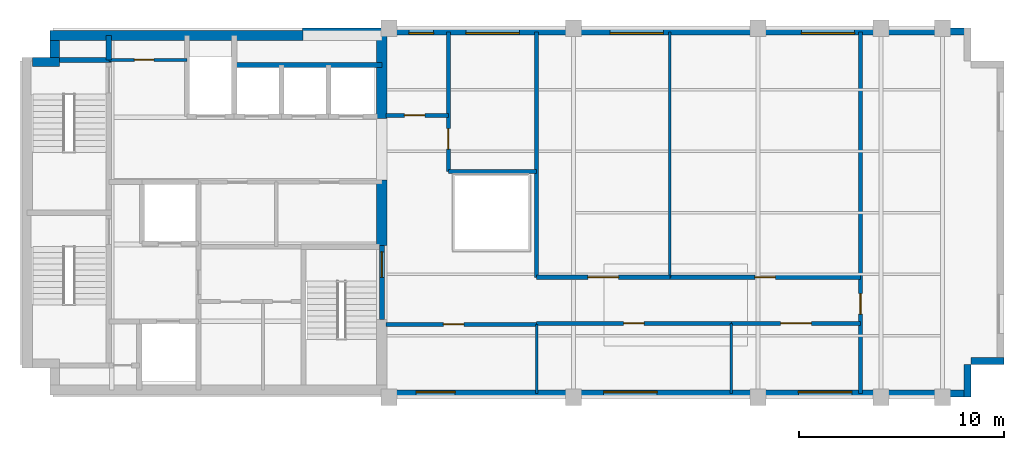
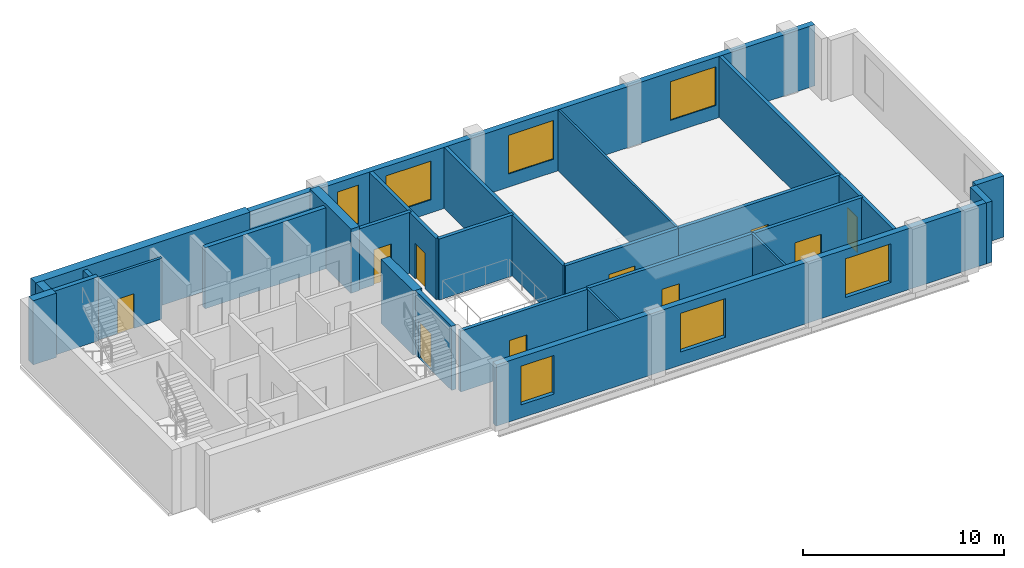
# One storey, part 3 of 5: 27 walls, 10 doors, 7 windows, 17 openings.
"""IFC4 building model written with IfcOpenShell, lengths in metres."""

from ifc_helpers import new_model, si_unit, direction, frame, frame_2d, origin, place, context, subcontext, project, spatial, rectangle, extrude, material, layer, layer_set, type_object, element, fill, save


model = new_model("IFC4")

# Units and contexts
model_context = context("Model", 3, precision=1e-05, world=origin(), true_north=direction((0.0, 1.0)))
body_context = subcontext(model_context, "Body", "Model", "MODEL_VIEW")
ifc_project = project(units=[si_unit("LENGTHUNIT", "METRE"), si_unit("AREAUNIT", "SQUARE_METRE"), si_unit("VOLUMEUNIT", "CUBIC_METRE"), si_unit("PLANEANGLEUNIT", "RADIAN"), si_unit("MASSUNIT", "GRAM", prefix="KILO")], contexts=[model_context])

# Site, building, storey
site_placement = place(None, origin())
site = spatial("IfcSite", under=ifc_project, at=site_placement, CompositionType="ELEMENT")
building_placement = place(site_placement, origin())
building = spatial("IfcBuilding", under=site, at=building_placement, Name="Mawjdan Bourse Tower", CompositionType="ELEMENT")
storey_placement = place(building_placement, frame((0.0, 0.0, 262.5)))
storey = spatial("IfcBuildingStorey", under=building, at=storey_placement, Name="L64", CompositionType="ELEMENT", Elevation=262.5)

# Wall, openings, windows
ifc_material_1 = material(Name="Brick Masonry Buff", Category="masonry")
ifc_layer_1 = layer(ifc_material_1, 0.340087890625)
ifc_layer_set_1 = layer_set([ifc_layer_1], Name="Brick Masonry Buff")
wall_type_1 = type_object("IfcWallType", Name="WL-BRK-SPN-340", PredefinedType="STANDARD", material=ifc_layer_set_1)
wall_1_placement = place(storey_placement, frame((23.89990234375, 3.169921875, 0.0), z_axis=(0.0, 0.0, 1.0), x_axis=(1.0, 0.0, 0.0)))
wall_1 = element("IfcWall", 1, at=wall_1_placement, inside=storey, type_object=wall_type_1, Name="L64 Exterior Brick Wall 1", PredefinedType="STANDARD", context=body_context, shape_type="SweptSolid", body=[
    extrude(rectangle(XDim=28.5, YDim=0.340087890625, at=frame_2d((14.25, 0.0))), origin(), (0.0, 0.0, 1.0), 3.715087890625),
])
opening_1_placement = place(wall_1_placement, frame((1.425048828125, 0.0, 0.800048828125)))
opening_1 = element("IfcOpeningElement", 2, at=opening_1_placement, cuts=wall_1, Name="Opening W-L64-01", PredefinedType="OPENING", context=body_context, shape_type="SweptSolid", body=[
    extrude(rectangle(XDim=1.89990234375, YDim=2.35009765625, at=frame_2d((0.949951171875, 1.175048828125))), frame((0.0, 0.18017578125, 0.0), z_axis=(0.0, -1.0, 0.0), x_axis=(1.0, 0.0, 0.0)), (0.0, 0.0, 1.0), 0.360107421875),
])
opening_2_placement = place(wall_1_placement, frame((10.574951171875, 0.0, 0.800048828125)))
opening_2 = element("IfcOpeningElement", 3, at=opening_2_placement, cuts=wall_1, Name="Opening W-L64-02", PredefinedType="OPENING", context=body_context, shape_type="SweptSolid", body=[
    extrude(rectangle(XDim=2.60009765625, YDim=2.35009765625, at=frame_2d((1.300048828125, 1.175048828125))), frame((0.0, 0.18017578125, 0.0), z_axis=(0.0, -1.0, 0.0), x_axis=(1.0, 0.0, 0.0)), (0.0, 0.0, 1.0), 0.360107421875),
])
opening_3_placement = place(wall_1_placement, frame((20.074951171875, 0.0, 0.800048828125)))
opening_3 = element("IfcOpeningElement", 4, at=opening_3_placement, cuts=wall_1, Name="Opening W-L64-03", PredefinedType="OPENING", context=body_context, shape_type="SweptSolid", body=[
    extrude(rectangle(XDim=2.60009765625, YDim=2.35009765625, at=frame_2d((1.300048828125, 1.175048828125))), frame((0.0, 0.18017578125, 0.0), z_axis=(0.0, -1.0, 0.0), x_axis=(1.0, 0.0, 0.0)), (0.0, 0.0, 1.0), 0.360107421875),
])
ifc_material_2 = material(Name="Solar-Control Clear Double Glazing", Category="glass")
window_type_1 = type_object("IfcWindowType", Name="WN-SMT-1900", PartitioningType="SINGLE_PANEL", PredefinedType="WINDOW", material=ifc_material_2)
window_1_placement = place(opening_1_placement, origin())
window_1 = element("IfcWindow", 5, at=window_1_placement, inside=storey, type_object=window_type_1, Name="L64 Deep-Set Masonry Window W-L64-01", OverallHeight=2.35009765625, OverallWidth=1.89990234375, PartitioningType="SINGLE_PANEL", PredefinedType="WINDOW", context=body_context, shape_type="SweptSolid", body=[
    extrude(rectangle(XDim=1.89990234375, YDim=2.35009765625, at=frame_2d((0.949951171875, 1.175048828125))), frame((0.0, 0.110107421875, 0.0), z_axis=(0.0, -1.0, 0.0), x_axis=(1.0, 0.0, 0.0)), (0.0, 0.0, 1.0), 0.06005859375),
])
fill(opening_1, window_1)
window_type_2 = type_object("IfcWindowType", Name="WN-SMT-2600", PartitioningType="SINGLE_PANEL", PredefinedType="WINDOW", material=ifc_material_2)
window_2_placement = place(opening_2_placement, origin())
window_2 = element("IfcWindow", 6, at=window_2_placement, inside=storey, type_object=window_type_2, Name="L64 Deep-Set Masonry Window W-L64-02", OverallHeight=2.35009765625, OverallWidth=2.60009765625, PartitioningType="SINGLE_PANEL", PredefinedType="WINDOW", context=body_context, shape_type="SweptSolid", body=[
    extrude(rectangle(XDim=2.60009765625, YDim=2.35009765625, at=frame_2d((1.300048828125, 1.175048828125))), frame((0.0, 0.110107421875, 0.0), z_axis=(0.0, -1.0, 0.0), x_axis=(1.0, 0.0, 0.0)), (0.0, 0.0, 1.0), 0.06005859375),
])
fill(opening_2, window_2)
window_3_placement = place(opening_3_placement, origin())
window_3 = element("IfcWindow", 7, at=window_3_placement, inside=storey, type_object=window_type_2, Name="L64 Deep-Set Masonry Window W-L64-03", OverallHeight=2.35009765625, OverallWidth=2.60009765625, PartitioningType="SINGLE_PANEL", PredefinedType="WINDOW", context=body_context, shape_type="SweptSolid", body=[
    extrude(rectangle(XDim=2.60009765625, YDim=2.35009765625, at=frame_2d((1.300048828125, 1.175048828125))), frame((0.0, 0.110107421875, 0.0), z_axis=(0.0, -1.0, 0.0), x_axis=(1.0, 0.0, 0.0)), (0.0, 0.0, 1.0), 0.06005859375),
])
fill(opening_3, window_3)

# Walls
for number, where, z_axis, x_axis, name in (
    (8, (52.22998046875, 3.0, 0.0), (0.0, 0.0, 1.0), (0.0, 1.0, 0.0), "L64 Exterior Brick Wall 2"),
    (9, (52.39990234375, 4.77001953125, 0.0), (0.0, 0.0, 1.0), (1.0, 0.0, 0.0), "L64 Exterior Brick Wall 3"),
):
    element("IfcWall", number, at=place(storey_placement, frame(where, z_axis=z_axis, x_axis=x_axis)), inside=storey, type_object=wall_type_1, Name=name, PredefinedType="STANDARD", context=body_context, shape_type="SweptSolid", body=[
        extrude(rectangle(XDim=1.60009765625, YDim=0.340087890625, at=frame_2d((0.800048828125, 0.0))), origin(), (0.0, 0.0, 1.0), 3.715087890625),
    ])

# Wall, openings, windows
wall_2_placement = place(storey_placement, frame((52.39990234375, 20.830078125, 0.0), z_axis=(0.0, 0.0, 1.0), x_axis=(-1.0, 0.0, 0.0)))
wall_2 = element("IfcWall", 10, at=wall_2_placement, inside=storey, type_object=wall_type_1, Name="L64 Exterior Brick Wall 7", PredefinedType="STANDARD", context=body_context, shape_type="SweptSolid", body=[
    extrude(rectangle(XDim=32.619873046875, YDim=0.340087890625, at=frame_2d((16.31005859375, 0.0))), origin(), (0.0, 0.0, 1.0), 3.715087890625),
])
opening_4_placement = place(wall_2_placement, frame((5.68994140625, 0.0, 0.800048828125)))
opening_4 = element("IfcOpeningElement", 11, at=opening_4_placement, cuts=wall_2, Name="Opening W-L64-06", PredefinedType="OPENING", context=body_context, shape_type="SweptSolid", body=[
    extrude(rectangle(XDim=2.60009765625, YDim=2.35009765625, at=frame_2d((1.300048828125, 1.175048828125))), frame((0.0, 0.18017578125, 0.0), z_axis=(0.0, -1.0, 0.0), x_axis=(1.0, 0.0, 0.0)), (0.0, 0.0, 1.0), 0.360107421875),
])
opening_5_placement = place(wall_2_placement, frame((15.010009765625, 0.0, 0.800048828125)))
opening_5 = element("IfcOpeningElement", 12, at=opening_5_placement, cuts=wall_2, Name="Opening W-L64-07", PredefinedType="OPENING", context=body_context, shape_type="SweptSolid", body=[
    extrude(rectangle(XDim=2.60009765625, YDim=2.35009765625, at=frame_2d((1.300048828125, 1.175048828125))), frame((0.0, 0.18017578125, 0.0), z_axis=(0.0, -1.0, 0.0), x_axis=(1.0, 0.0, 0.0)), (0.0, 0.0, 1.0), 0.360107421875),
])
opening_6_placement = place(wall_2_placement, frame((26.225830078125, 0.0, 0.800048828125)))
opening_6 = element("IfcOpeningElement", 13, at=opening_6_placement, cuts=wall_2, Name="Opening W-L64-08", PredefinedType="OPENING", context=body_context, shape_type="SweptSolid", body=[
    extrude(rectangle(XDim=1.199951171875, YDim=2.35009765625, at=frame_2d((0.60009765625, 1.175048828125))), frame((0.0, 0.18017578125, 0.0), z_axis=(0.0, -1.0, 0.0), x_axis=(1.0, 0.0, 0.0)), (0.0, 0.0, 1.0), 0.360107421875),
])
opening_7_placement = place(wall_2_placement, frame((22.0458984375, 0.0, 0.800048828125)))
opening_7 = element("IfcOpeningElement", 14, at=opening_7_placement, cuts=wall_2, Name="Opening W-L64-09", PredefinedType="OPENING", context=body_context, shape_type="SweptSolid", body=[
    extrude(rectangle(XDim=2.60009765625, YDim=2.35009765625, at=frame_2d((1.300048828125, 1.175048828125))), frame((0.0, 0.18017578125, 0.0), z_axis=(0.0, -1.0, 0.0), x_axis=(1.0, 0.0, 0.0)), (0.0, 0.0, 1.0), 0.360107421875),
])
window_type_3 = type_object("IfcWindowType", Name="WN-SMT-1200", PartitioningType="SINGLE_PANEL", PredefinedType="WINDOW", material=ifc_material_2)
window_4_placement = place(opening_6_placement, origin())
window_4 = element("IfcWindow", 15, at=window_4_placement, inside=storey, type_object=window_type_3, Name="L64 Deep-Set Masonry Window W-L64-08", OverallHeight=2.35009765625, OverallWidth=1.199951171875, PartitioningType="SINGLE_PANEL", PredefinedType="WINDOW", context=body_context, shape_type="SweptSolid", body=[
    extrude(rectangle(XDim=1.199951171875, YDim=2.35009765625, at=frame_2d((0.60009765625, 1.175048828125))), frame((0.0, 0.110107421875, 0.0), z_axis=(0.0, -1.0, 0.0), x_axis=(1.0, 0.0, 0.0)), (0.0, 0.0, 1.0), 0.06005859375),
])
fill(opening_6, window_4)
window_5_placement = place(opening_4_placement, origin())
window_5 = element("IfcWindow", 16, at=window_5_placement, inside=storey, type_object=window_type_2, Name="L64 Deep-Set Masonry Window W-L64-06", OverallHeight=2.35009765625, OverallWidth=2.60009765625, PartitioningType="SINGLE_PANEL", PredefinedType="WINDOW", context=body_context, shape_type="SweptSolid", body=[
    extrude(rectangle(XDim=2.60009765625, YDim=2.35009765625, at=frame_2d((1.300048828125, 1.175048828125))), frame((0.0, 0.110107421875, 0.0), z_axis=(0.0, -1.0, 0.0), x_axis=(1.0, 0.0, 0.0)), (0.0, 0.0, 1.0), 0.06005859375),
])
fill(opening_4, window_5)
window_6_placement = place(opening_5_placement, origin())
window_6 = element("IfcWindow", 17, at=window_6_placement, inside=storey, type_object=window_type_2, Name="L64 Deep-Set Masonry Window W-L64-07", OverallHeight=2.35009765625, OverallWidth=2.60009765625, PartitioningType="SINGLE_PANEL", PredefinedType="WINDOW", context=body_context, shape_type="SweptSolid", body=[
    extrude(rectangle(XDim=2.60009765625, YDim=2.35009765625, at=frame_2d((1.300048828125, 1.175048828125))), frame((0.0, 0.110107421875, 0.0), z_axis=(0.0, -1.0, 0.0), x_axis=(1.0, 0.0, 0.0)), (0.0, 0.0, 1.0), 0.06005859375),
])
fill(opening_5, window_6)
window_7_placement = place(opening_7_placement, origin())
window_7 = element("IfcWindow", 18, at=window_7_placement, inside=storey, type_object=window_type_2, Name="L64 Deep-Set Masonry Window W-L64-09", OverallHeight=2.35009765625, OverallWidth=2.60009765625, PartitioningType="SINGLE_PANEL", PredefinedType="WINDOW", context=body_context, shape_type="SweptSolid", body=[
    extrude(rectangle(XDim=2.60009765625, YDim=2.35009765625, at=frame_2d((1.300048828125, 1.175048828125))), frame((0.0, 0.110107421875, 0.0), z_axis=(0.0, -1.0, 0.0), x_axis=(1.0, 0.0, 0.0)), (0.0, 0.0, 1.0), 0.06005859375),
])
fill(opening_7, window_7)

# Wall, opening, door
ifc_material_3 = material(Name="Gypsum Fireboard Assembly")
ifc_layer_2 = layer(ifc_material_3, 0.199951171875)
ifc_layer_set_2 = layer_set([ifc_layer_2], Name="Gypsum Fireboard Assembly")
wall_type_2 = type_object("IfcWallType", Name="WL-CMP-200", PredefinedType="PARTITIONING", material=ifc_layer_set_2)
wall_3_placement = place(storey_placement, frame((23.85009765625, 6.550048828125, 0.0), z_axis=(0.0, 0.0, 1.0), x_axis=(1.0, 0.0, 0.0)))
wall_3 = element("IfcWall", 19, at=wall_3_placement, inside=storey, type_object=wall_type_2, Name="L64 Summit Throat South Wall", PredefinedType="PARTITIONING", context=body_context, shape_type="SweptSolid", body=[
    extrude(rectangle(XDim=7.349853515625, YDim=0.199951171875, at=frame_2d((3.6748046875, 0.0))), origin(), (0.0, 0.0, 1.0), 3.705078125),
])
opening_8_placement = place(wall_3_placement, frame((2.800048828125, 0.0, 0.0)))
opening_8 = element("IfcOpeningElement", 20, at=opening_8_placement, cuts=wall_3, Name="Opening D-L64-18", PredefinedType="OPENING", context=body_context, shape_type="SweptSolid", body=[
    extrude(rectangle(XDim=1.0, YDim=2.14990234375, at=frame_2d((0.5, 1.074951171875))), frame((0.0, 0.10986328125, 0.0), z_axis=(0.0, -1.0, 0.0), x_axis=(1.0, 0.0, 0.0)), (0.0, 0.0, 1.0), 0.219970703125),
])
ifc_material_4 = material(Name="Hardwood Acoustic Leaf", Category="wood")
door_type_1 = type_object("IfcDoorType", Name="DR-OFC-1000", OperationType="NOTDEFINED", PredefinedType="DOOR", material=ifc_material_4)
door_1_placement = place(opening_8_placement, origin())
door_1 = element("IfcDoor", 21, at=door_1_placement, inside=storey, type_object=door_type_1, Name="L64 Summit Throat South Room Door D-L64-18", OperationType="SINGLE_SWING_RIGHT", OverallHeight=2.14990234375, OverallWidth=1.0, PredefinedType="DOOR", context=body_context, shape_type="SweptSolid", body=[
    extrude(rectangle(XDim=1.0, YDim=2.14990234375, at=frame_2d((0.5, 1.074951171875))), frame((0.0, 0.02490234375, 0.0), z_axis=(0.0, -1.0, 0.0), x_axis=(1.0, 0.0, 0.0)), (0.0, 0.0, 1.0), 0.050048828125),
])
fill(opening_8, door_1)

wall_4_placement = place(storey_placement, frame((23.85009765625, 16.75, 0.0), z_axis=(0.0, 0.0, 1.0), x_axis=(1.0, 0.0, 0.0)))
wall_4 = element("IfcWall", 22, at=wall_4_placement, inside=storey, type_object=wall_type_2, Name="L64 Summit NW Study South Wall", PredefinedType="PARTITIONING", context=body_context, shape_type="SweptSolid", body=[
    extrude(rectangle(XDim=3.0498046875, YDim=0.199951171875, at=frame_2d((1.52490234375, 0.0))), origin(), (0.0, 0.0, 1.0), 3.705078125),
])
opening_9_placement = place(wall_4_placement, frame((0.89990234375, 0.0, 0.0)))
opening_9 = element("IfcOpeningElement", 23, at=opening_9_placement, cuts=wall_4, Name="Opening D-L64-19", PredefinedType="OPENING", context=body_context, shape_type="SweptSolid", body=[
    extrude(rectangle(XDim=1.0, YDim=2.14990234375, at=frame_2d((0.5, 1.074951171875))), frame((0.0, 0.10986328125, 0.0), z_axis=(0.0, -1.0, 0.0), x_axis=(1.0, 0.0, 0.0)), (0.0, 0.0, 1.0), 0.219970703125),
])
door_2_placement = place(opening_9_placement, origin())
door_2 = element("IfcDoor", 24, at=door_2_placement, inside=storey, type_object=door_type_1, Name="L64 Summit NW Study Door D-L64-19", OperationType="SINGLE_SWING_LEFT", OverallHeight=2.14990234375, OverallWidth=1.0, PredefinedType="DOOR", context=body_context, shape_type="SweptSolid", body=[
    extrude(rectangle(XDim=1.0, YDim=2.14990234375, at=frame_2d((0.5, 1.074951171875))), frame((0.0, 0.02490234375, 0.0), z_axis=(0.0, -1.0, 0.0), x_axis=(1.0, 0.0, 0.0)), (0.0, 0.0, 1.0), 0.050048828125),
])
fill(opening_9, door_2)

wall_5_placement = place(storey_placement, frame((26.89990234375, 14.0, 0.0), z_axis=(0.0, 0.0, 1.0), x_axis=(0.0, 1.0, 0.0)))
wall_5 = element("IfcWall", 25, at=wall_5_placement, inside=storey, type_object=wall_type_2, Name="L64 Summit North Atrium Suite West Wall", PredefinedType="PARTITIONING", context=body_context, shape_type="SweptSolid", body=[
    extrude(rectangle(XDim=6.820068359375, YDim=0.199951171875, at=frame_2d((3.41015625, 0.0))), origin(), (0.0, 0.0, 1.0), 3.705078125),
])
opening_10_placement = place(wall_5_placement, frame((1.10009765625, 0.0, 0.0)))
opening_10 = element("IfcOpeningElement", 26, at=opening_10_placement, cuts=wall_5, Name="Opening D-L64-20", PredefinedType="OPENING", context=body_context, shape_type="SweptSolid", body=[
    extrude(rectangle(XDim=1.0, YDim=2.14990234375, at=frame_2d((0.5, 1.074951171875))), frame((0.0, 0.10986328125, 0.0), z_axis=(0.0, -1.0, 0.0), x_axis=(1.0, 0.0, 0.0)), (0.0, 0.0, 1.0), 0.219970703125),
])
door_3_placement = place(opening_10_placement, origin())
door_3 = element("IfcDoor", 27, at=door_3_placement, inside=storey, type_object=door_type_1, Name="L64 Summit North Atrium Suite Door D-L64-20", OperationType="SINGLE_SWING_RIGHT", OverallHeight=2.14990234375, OverallWidth=1.0, PredefinedType="DOOR", context=body_context, shape_type="SweptSolid", body=[
    extrude(rectangle(XDim=1.0, YDim=2.14990234375, at=frame_2d((0.5, 1.074951171875))), frame((0.0, 0.02490234375, 0.0), z_axis=(0.0, -1.0, 0.0), x_axis=(1.0, 0.0, 0.0)), (0.0, 0.0, 1.0), 0.050048828125),
])
fill(opening_10, door_3)

# Walls
wall_6_placement = place(storey_placement, frame((26.89990234375, 14.0, 0.0), z_axis=(0.0, 0.0, 1.0), x_axis=(1.0, 0.0, 0.0)))
element("IfcWall", 28, at=wall_6_placement, inside=storey, type_object=wall_type_2, Name="L64 Summit North Atrium Suite South Wall", PredefinedType="PARTITIONING", context=body_context, shape_type="SweptSolid", body=[
    extrude(rectangle(XDim=4.300048828125, YDim=0.199951171875, at=frame_2d((2.14990234375, 0.0))), origin(), (0.0, 0.0, 1.0), 3.705078125),
])
wall_7_placement = place(storey_placement, frame((31.199951171875, 8.85009765625, 0.0), z_axis=(0.0, 0.0, 1.0), x_axis=(0.0, 1.0, 0.0)))
element("IfcWall", 29, at=wall_7_placement, inside=storey, type_object=wall_type_2, Name="L64 Summit North Atrium Suite East Wall", PredefinedType="PARTITIONING", context=body_context, shape_type="SweptSolid", body=[
    extrude(rectangle(XDim=11.969970703125, YDim=0.199951171875, at=frame_2d((5.98486328125, 0.0))), origin(), (0.0, 0.0, 1.0), 3.705078125),
])

# Wall, opening, door
wall_8_placement = place(storey_placement, frame((31.199951171875, 6.60009765625, 0.0), z_axis=(0.0, 0.0, 1.0), x_axis=(1.0, 0.0, 0.0)))
wall_8 = element("IfcWall", 30, at=wall_8_placement, inside=storey, type_object=wall_type_2, Name="L64 Chairman Executive Office Corridor Wall", PredefinedType="PARTITIONING", context=body_context, shape_type="SweptSolid", body=[
    extrude(rectangle(XDim=9.5, YDim=0.199951171875, at=frame_2d((4.75, 0.0))), origin(), (0.0, 0.0, 1.0), 3.705078125),
])
opening_11_placement = place(wall_8_placement, frame((4.25, 0.0, 0.0)))
opening_11 = element("IfcOpeningElement", 31, at=opening_11_placement, cuts=wall_8, Name="Opening D-L64-21", PredefinedType="OPENING", context=body_context, shape_type="SweptSolid", body=[
    extrude(rectangle(XDim=1.0, YDim=2.14990234375, at=frame_2d((0.5, 1.074951171875))), frame((0.0, 0.10986328125, 0.0), z_axis=(0.0, -1.0, 0.0), x_axis=(1.0, 0.0, 0.0)), (0.0, 0.0, 1.0), 0.219970703125),
])
door_4_placement = place(opening_11_placement, origin())
door_4 = element("IfcDoor", 32, at=door_4_placement, inside=storey, type_object=door_type_1, Name="L64 Chairman Executive Office Door D-L64-21", OperationType="SINGLE_SWING_LEFT", OverallHeight=2.14990234375, OverallWidth=1.0, PredefinedType="DOOR", context=body_context, shape_type="SweptSolid", body=[
    extrude(rectangle(XDim=1.0, YDim=2.14990234375, at=frame_2d((0.5, 1.074951171875))), frame((0.0, 0.02490234375, 0.0), z_axis=(0.0, -1.0, 0.0), x_axis=(1.0, 0.0, 0.0)), (0.0, 0.0, 1.0), 0.050048828125),
])
fill(opening_11, door_4)

wall_9_placement = place(storey_placement, frame((40.699951171875, 6.60009765625, 0.0), z_axis=(0.0, 0.0, 1.0), x_axis=(1.0, 0.0, 0.0)))
wall_9 = element("IfcWall", 33, at=wall_9_placement, inside=storey, type_object=wall_type_2, Name="L64 Bourse Executive Boardroom Corridor Wall", PredefinedType="PARTITIONING", context=body_context, shape_type="SweptSolid", body=[
    extrude(rectangle(XDim=6.300048828125, YDim=0.199951171875, at=frame_2d((3.14990234375, 0.0))), origin(), (0.0, 0.0, 1.0), 3.705078125),
])
opening_12_placement = place(wall_9_placement, frame((2.39990234375, 0.0, 0.0)))
opening_12 = element("IfcOpeningElement", 34, at=opening_12_placement, cuts=wall_9, Name="Opening D-L64-22", PredefinedType="OPENING", context=body_context, shape_type="SweptSolid", body=[
    extrude(rectangle(XDim=1.5, YDim=2.300048828125, at=frame_2d((0.75, 1.14990234375))), frame((0.0, 0.10986328125, 0.0), z_axis=(0.0, -1.0, 0.0), x_axis=(1.0, 0.0, 0.0)), (0.0, 0.0, 1.0), 0.219970703125),
])
ifc_material_5 = material(Name="Acoustic Glazed Timber", Category="wood")
door_type_2 = type_object("IfcDoorType", Name="DR-CNF-1500", OperationType="DOUBLE_DOOR_SINGLE_SWING", PredefinedType="DOOR", material=ifc_material_5)
door_5_placement = place(opening_12_placement, origin())
door_5 = element("IfcDoor", 35, at=door_5_placement, inside=storey, type_object=door_type_2, Name="L64 Bourse Executive Boardroom Door D-L64-22", OperationType="DOUBLE_DOOR_SINGLE_SWING", OverallHeight=2.300048828125, OverallWidth=1.5, PredefinedType="DOOR", context=body_context, shape_type="SweptSolid", body=[
    extrude(rectangle(XDim=1.5, YDim=2.300048828125, at=frame_2d((0.75, 1.14990234375))), frame((0.0, 0.02490234375, 0.0), z_axis=(0.0, -1.0, 0.0), x_axis=(1.0, 0.0, 0.0)), (0.0, 0.0, 1.0), 0.050048828125),
])
fill(opening_12, door_5)

wall_10_placement = place(storey_placement, frame((31.199951171875, 8.85009765625, 0.0), z_axis=(0.0, 0.0, 1.0), x_axis=(1.0, 0.0, 0.0)))
wall_10 = element("IfcWall", 36, at=wall_10_placement, inside=storey, type_object=wall_type_2, Name="L64 Conference Room Corridor Wall", PredefinedType="PARTITIONING", context=body_context, shape_type="SweptSolid", body=[
    extrude(rectangle(XDim=6.5, YDim=0.199951171875, at=frame_2d((3.25, 0.0))), origin(), (0.0, 0.0, 1.0), 3.705078125),
])
opening_13_placement = place(wall_10_placement, frame((2.5, 0.0, 0.0)))
opening_13 = element("IfcOpeningElement", 37, at=opening_13_placement, cuts=wall_10, Name="Opening D-L64-23", PredefinedType="OPENING", context=body_context, shape_type="SweptSolid", body=[
    extrude(rectangle(XDim=1.5, YDim=2.300048828125, at=frame_2d((0.75, 1.14990234375))), frame((0.0, 0.10986328125, 0.0), z_axis=(0.0, -1.0, 0.0), x_axis=(1.0, 0.0, 0.0)), (0.0, 0.0, 1.0), 0.219970703125),
])
door_6_placement = place(opening_13_placement, origin())
door_6 = element("IfcDoor", 38, at=door_6_placement, inside=storey, type_object=door_type_2, Name="L64 Conference Room Door D-L64-23", OperationType="DOUBLE_DOOR_SINGLE_SWING", OverallHeight=2.300048828125, OverallWidth=1.5, PredefinedType="DOOR", context=body_context, shape_type="SweptSolid", body=[
    extrude(rectangle(XDim=1.5, YDim=2.300048828125, at=frame_2d((0.75, 1.14990234375))), frame((0.0, 0.02490234375, 0.0), z_axis=(0.0, -1.0, 0.0), x_axis=(1.0, 0.0, 0.0)), (0.0, 0.0, 1.0), 0.050048828125),
])
fill(opening_13, door_6)

wall_11_placement = place(storey_placement, frame((37.699951171875, 8.85009765625, 0.0), z_axis=(0.0, 0.0, 1.0), x_axis=(1.0, 0.0, 0.0)))
wall_11 = element("IfcWall", 39, at=wall_11_placement, inside=storey, type_object=wall_type_2, Name="L64 Diplomatic Salon Corridor Wall", PredefinedType="PARTITIONING", context=body_context, shape_type="SweptSolid", body=[
    extrude(rectangle(XDim=9.300048828125, YDim=0.199951171875, at=frame_2d((4.64990234375, 0.0))), origin(), (0.0, 0.0, 1.0), 3.705078125),
])
opening_14_placement = place(wall_11_placement, frame((4.14990234375, 0.0, 0.0)))
opening_14 = element("IfcOpeningElement", 40, at=opening_14_placement, cuts=wall_11, Name="Opening D-L64-24", PredefinedType="OPENING", context=body_context, shape_type="SweptSolid", body=[
    extrude(rectangle(XDim=1.0, YDim=2.14990234375, at=frame_2d((0.5, 1.074951171875))), frame((0.0, 0.10986328125, 0.0), z_axis=(0.0, -1.0, 0.0), x_axis=(1.0, 0.0, 0.0)), (0.0, 0.0, 1.0), 0.219970703125),
])
door_7_placement = place(opening_14_placement, origin())
door_7 = element("IfcDoor", 41, at=door_7_placement, inside=storey, type_object=door_type_1, Name="L64 Diplomatic Salon Door D-L64-24", OperationType="SINGLE_SWING_RIGHT", OverallHeight=2.14990234375, OverallWidth=1.0, PredefinedType="DOOR", context=body_context, shape_type="SweptSolid", body=[
    extrude(rectangle(XDim=1.0, YDim=2.14990234375, at=frame_2d((0.5, 1.074951171875))), frame((0.0, 0.02490234375, 0.0), z_axis=(0.0, -1.0, 0.0), x_axis=(1.0, 0.0, 0.0)), (0.0, 0.0, 1.0), 0.050048828125),
])
fill(opening_14, door_7)

wall_12_placement = place(storey_placement, frame((47.0, 3.179931640625, 0.0), z_axis=(0.0, 0.0, 1.0), x_axis=(0.0, 1.0, 0.0)))
wall_12 = element("IfcWall", 42, at=wall_12_placement, inside=storey, type_object=wall_type_2, Name="L64 East Tip Full Cross Wall", PredefinedType="PARTITIONING", context=body_context, shape_type="SweptSolid", body=[
    extrude(rectangle(XDim=17.64013671875, YDim=0.199951171875, at=frame_2d((8.820068359375, 0.0))), origin(), (0.0, 0.0, 1.0), 3.705078125),
])
opening_15_placement = place(wall_12_placement, frame((3.875, 0.0, 0.0)))
opening_15 = element("IfcOpeningElement", 43, at=opening_15_placement, cuts=wall_12, Name="Opening D-L64-25", PredefinedType="OPENING", context=body_context, shape_type="SweptSolid", body=[
    extrude(rectangle(XDim=1.0, YDim=2.14990234375, at=frame_2d((0.5, 1.074951171875))), frame((0.0, 0.10986328125, 0.0), z_axis=(0.0, -1.0, 0.0), x_axis=(1.0, 0.0, 0.0)), (0.0, 0.0, 1.0), 0.219970703125),
])
door_8_placement = place(opening_15_placement, origin())
door_8 = element("IfcDoor", 44, at=door_8_placement, inside=storey, type_object=door_type_1, Name="L64 East Tip Hall Door D-L64-25", OperationType="SINGLE_SWING_LEFT", OverallHeight=2.14990234375, OverallWidth=1.0, PredefinedType="DOOR", context=body_context, shape_type="SweptSolid", body=[
    extrude(rectangle(XDim=1.0, YDim=2.14990234375, at=frame_2d((0.5, 1.074951171875))), frame((0.0, 0.02490234375, 0.0), z_axis=(0.0, -1.0, 0.0), x_axis=(1.0, 0.0, 0.0)), (0.0, 0.0, 1.0), 0.050048828125),
])
fill(opening_15, door_8)

# Walls
ifc_material_6 = material(Name="Concrete C60/75", Category="concrete")
ifc_layer_3 = layer(ifc_material_6, 0.449951171875)
ifc_layer_set_3 = layer_set([ifc_layer_3], Name="Concrete C60/75")
wall_type_3 = type_object("IfcWallType", Name="WL-CORE-450", PredefinedType="SHEAR", material=ifc_layer_set_3)
wall_13_placement = place(storey_placement, frame((6.60009765625, 19.35009765625, 0.0), z_axis=(0.0, 0.0, 1.0), x_axis=(1.0, 0.0, 0.0)))
element("IfcWall", 45, at=wall_13_placement, inside=storey, type_object=wall_type_3, Name="L64 Rear Core Shear Wall NW-X", PredefinedType="SHEAR", context=body_context, shape_type="SweptSolid", body=[
    extrude(rectangle(XDim=1.324951171875, YDim=0.449951171875, at=frame_2d((0.66259765625, 0.0))), origin(), (0.0, 0.0, 1.0), 3.89990234375),
])
wall_14_placement = place(storey_placement, frame((7.699951171875, 19.574951171875, 0.0), z_axis=(0.0, 0.0, 1.0), x_axis=(0.0, 1.0, 0.0)))
element("IfcWall", 46, at=wall_14_placement, inside=storey, type_object=wall_type_3, Name="L64 Rear Core Shear Wall NW-Y", PredefinedType="SHEAR", context=body_context, shape_type="SweptSolid", body=[
    extrude(rectangle(XDim=0.824951171875, YDim=0.449951171875, at=frame_2d((0.41259765625, 0.0))), origin(), (0.0, 0.0, 1.0), 3.89990234375),
])
ifc_layer_4 = layer(ifc_material_6, 0.5)
ifc_layer_set_4 = layer_set([ifc_layer_4], Name="Concrete C60/75")
wall_type_4 = type_object("IfcWallType", Name="WL-CORE-500", PredefinedType="SHEAR", material=ifc_layer_set_4)
wall_15_placement = place(storey_placement, frame((7.47509765625, 20.64990234375, 0.0), z_axis=(0.0, 0.0, 1.0), x_axis=(1.0, 0.0, 0.0)))
element("IfcWall", 47, at=wall_15_placement, inside=storey, type_object=wall_type_4, Name="L64 Rear Core Shear Wall N", PredefinedType="SHEAR", context=body_context, shape_type="SweptSolid", body=[
    extrude(rectangle(XDim=12.324951171875, YDim=0.5, at=frame_2d((6.16259765625, 0.0))), origin(), (0.0, 0.0, 1.0), 3.89990234375),
])
wall_16_placement = place(storey_placement, frame((23.64990234375, 10.39990234375, 0.0), z_axis=(0.0, 0.0, 1.0), x_axis=(0.0, 1.0, 0.0)))
element("IfcWall", 48, at=wall_16_placement, inside=storey, type_object=wall_type_4, Name="L64 Rear Core Shear Wall E2", PredefinedType="SHEAR", context=body_context, shape_type="SweptSolid", body=[
    extrude(rectangle(XDim=3.2001953125, YDim=0.5, at=frame_2d((1.60009765625, 0.0))), origin(), (0.0, 0.0, 1.0), 3.89990234375),
])
wall_17_placement = place(storey_placement, frame((23.64990234375, 16.60009765625, 0.0), z_axis=(0.0, 0.0, 1.0), x_axis=(0.0, 1.0, 0.0)))
element("IfcWall", 49, at=wall_17_placement, inside=storey, type_object=wall_type_4, Name="L64 Rear Core Shear Wall E3", PredefinedType="SHEAR", context=body_context, shape_type="SweptSolid", body=[
    extrude(rectangle(XDim=4.0498046875, YDim=0.5, at=frame_2d((2.02490234375, 0.0))), origin(), (0.0, 0.0, 1.0), 3.89990234375),
])
ifc_material_7 = material(Name="Gypsum Partition")
ifc_layer_5 = layer(ifc_material_7, 0.125)
ifc_layer_set_5 = layer_set([ifc_layer_5], Name="Gypsum Partition")
wall_type_5 = type_object("IfcWallType", Name="WL-PRT-125", PredefinedType="PARTITIONING", material=ifc_layer_set_5)
wall_18_placement = place(storey_placement, frame((31.199951171875, 3.179931640625, 0.0), z_axis=(0.0, 0.0, 1.0), x_axis=(0.0, 1.0, 0.0)))
element("IfcWall", 50, at=wall_18_placement, inside=storey, type_object=wall_type_5, Name="L64 Summit Throat South Return", PredefinedType="PARTITIONING", context=body_context, shape_type="SweptSolid", body=[
    extrude(rectangle(XDim=3.3701171875, YDim=0.125, at=frame_2d((1.68505859375, 0.0))), origin(), (0.0, 0.0, 1.0), 3.705078125),
])
wall_19_placement = place(storey_placement, frame((40.699951171875, 3.179931640625, 0.0), z_axis=(0.0, 0.0, 1.0), x_axis=(0.0, 1.0, 0.0)))
element("IfcWall", 51, at=wall_19_placement, inside=storey, type_object=wall_type_5, Name="L64 Bourse Executive Boardroom Partition", PredefinedType="PARTITIONING", context=body_context, shape_type="SweptSolid", body=[
    extrude(rectangle(XDim=3.420166015625, YDim=0.125, at=frame_2d((1.7099609375, 0.0))), origin(), (0.0, 0.0, 1.0), 3.705078125),
])
wall_20_placement = place(storey_placement, frame((37.699951171875, 8.85009765625, 0.0), z_axis=(0.0, 0.0, 1.0), x_axis=(0.0, 1.0, 0.0)))
element("IfcWall", 52, at=wall_20_placement, inside=storey, type_object=wall_type_5, Name="L64 Diplomatic Salon Partition", PredefinedType="PARTITIONING", context=body_context, shape_type="SweptSolid", body=[
    extrude(rectangle(XDim=11.969970703125, YDim=0.125, at=frame_2d((5.98486328125, 0.0))), origin(), (0.0, 0.0, 1.0), 3.705078125),
])

# Wall, opening, door
ifc_material_8 = material(Name="Gypsum Acoustic Partition")
ifc_layer_6 = layer(ifc_material_8, 0.14990234375)
ifc_layer_set_6 = layer_set([ifc_layer_6], Name="Gypsum Acoustic Partition")
wall_type_6 = type_object("IfcWallType", Name="WL-PRT-150", PredefinedType="PARTITIONING", material=ifc_layer_set_6)
wall_21_placement = place(storey_placement, frame((10.330078125, 19.449951171875, 0.0), z_axis=(0.0, 0.0, 1.0), x_axis=(1.0, 0.0, 0.0)))
wall_21 = element("IfcWall", 53, at=wall_21_placement, inside=storey, type_object=wall_type_6, Name="L64 Housekeeping South Wall", PredefinedType="PARTITIONING", context=body_context, shape_type="SweptSolid", body=[
    extrude(rectangle(XDim=3.81982421875, YDim=0.14990234375, at=frame_2d((1.909912109375, 0.0))), origin(), (0.0, 0.0, 1.0), 3.705078125),
])
opening_16_placement = place(wall_21_placement, frame((1.25, 0.0, 0.0)))
opening_16 = element("IfcOpeningElement", 54, at=opening_16_placement, cuts=wall_21, Name="Opening D-L64-17", PredefinedType="OPENING", context=body_context, shape_type="SweptSolid", body=[
    extrude(rectangle(XDim=0.949951171875, YDim=2.10009765625, at=frame_2d((0.47509765625, 1.050048828125))), frame((0.0, 0.0849609375, 0.0), z_axis=(0.0, -1.0, 0.0), x_axis=(1.0, 0.0, 0.0)), (0.0, 0.0, 1.0), 0.169921875),
])
ifc_material_9 = material(Name="Moisture-Resistant Laminate Timber", Category="wood")
door_type_3 = type_object("IfcDoorType", Name="DR-WET-0950", OperationType="NOTDEFINED", PredefinedType="DOOR", material=ifc_material_9)
door_9_placement = place(opening_16_placement, origin())
door_9 = element("IfcDoor", 55, at=door_9_placement, inside=storey, type_object=door_type_3, Name="L64 Housekeeping Closet Door D-L64-17", OperationType="SINGLE_SWING_LEFT", OverallHeight=2.10009765625, OverallWidth=0.949951171875, PredefinedType="DOOR", context=body_context, shape_type="SweptSolid", body=[
    extrude(rectangle(XDim=0.949951171875, YDim=2.10009765625, at=frame_2d((0.47509765625, 1.050048828125))), frame((0.0, 0.02490234375, 0.0), z_axis=(0.0, -1.0, 0.0), x_axis=(1.0, 0.0, 0.0)), (0.0, 0.0, 1.0), 0.050048828125),
])
fill(opening_16, door_9)

# Walls
ifc_material_10 = material(Name="Concrete C50/60", Category="concrete")
ifc_layer_7 = layer(ifc_material_10, 0.25)
ifc_layer_set_7 = layer_set([ifc_layer_7], Name="Concrete C50/60")
wall_type_7 = type_object("IfcWallType", Name="WL-SHFT-250", PredefinedType="PARTITIONING", material=ifc_layer_set_7)
wall_22_placement = place(storey_placement, frame((10.330078125, 19.449951171875, 0.0), z_axis=(0.0, 0.0, 1.0), x_axis=(0.0, 1.0, 0.0)))
element("IfcWall", 56, at=wall_22_placement, inside=storey, type_object=wall_type_7, Name="L64 NW Riser East Wall", PredefinedType="PARTITIONING", context=body_context, shape_type="SweptSolid", body=[
    extrude(rectangle(XDim=1.199951171875, YDim=0.25, at=frame_2d((0.60009765625, 0.0))), origin(), (0.0, 0.0, 1.0), 3.705078125),
])
wall_23_placement = place(storey_placement, frame((16.449951171875, 19.199951171875, 0.0), z_axis=(0.0, 0.0, 1.0), x_axis=(1.0, 0.0, 0.0)))
element("IfcWall", 57, at=wall_23_placement, inside=storey, type_object=wall_type_7, Name="L64 PH Bank North Shaft Back Wall", PredefinedType="PARTITIONING", context=body_context, shape_type="SweptSolid", body=[
    extrude(rectangle(XDim=7.199951171875, YDim=0.25, at=frame_2d((3.60009765625, 0.0))), origin(), (0.0, 0.0, 1.0), 3.705078125),
])
ifc_layer_8 = layer(ifc_material_10, 0.25)
ifc_layer_set_8 = layer_set([ifc_layer_8], Name="Concrete C50/60")
wall_type_8 = type_object("IfcWallType", Name="WL-STRW-250", PredefinedType="SHEAR", material=ifc_layer_set_8)
wall_24_placement = place(storey_placement, frame((7.699951171875, 19.449951171875, 0.0), z_axis=(0.0, 0.0, 1.0), x_axis=(1.0, 0.0, 0.0)))
element("IfcWall", 58, at=wall_24_placement, inside=storey, type_object=wall_type_8, Name="L64 Stairwell ST2 North Shaft Wall", PredefinedType="SHEAR", context=body_context, shape_type="SweptSolid", body=[
    extrude(rectangle(XDim=2.755126953125, YDim=0.25, at=frame_2d((1.37744140625, 0.0))), origin(), (0.0, 0.0, 1.0), 3.89990234375),
])

# Wall, opening, door
wall_25_placement = place(storey_placement, frame((23.64990234375, 6.800048828125, 0.0), z_axis=(0.0, 0.0, 1.0), x_axis=(0.0, 1.0, 0.0)))
wall_25 = element("IfcWall", 59, at=wall_25_placement, inside=storey, type_object=wall_type_8, Name="L64 ST7 East Shaft Wall", PredefinedType="SHEAR", context=body_context, shape_type="SweptSolid", body=[
    extrude(rectangle(XDim=3.599853515625, YDim=0.25, at=frame_2d((1.7998046875, 0.0))), origin(), (0.0, 0.0, 1.0), 3.89990234375),
])
opening_17_placement = place(wall_25_placement, frame((2.0400390625, 0.0, 0.0)))
opening_17 = element("IfcOpeningElement", 60, at=opening_17_placement, cuts=wall_25, Name="Opening SD-L64-26", PredefinedType="OPENING", context=body_context, shape_type="SweptSolid", body=[
    extrude(rectangle(XDim=1.25, YDim=2.199951171875, at=frame_2d((0.625, 1.10009765625))), frame((0.0, 0.135009765625, 0.0), z_axis=(0.0, -1.0, 0.0), x_axis=(1.0, 0.0, 0.0)), (0.0, 0.0, 1.0), 0.27001953125),
])
ifc_material_11 = material(Name="Fire-Rated Steel Leaf", Category="steel")
door_type_4 = type_object("IfcDoorType", Name="FD-ST-1250", OperationType="NOTDEFINED", PredefinedType="DOOR", material=ifc_material_11)
door_10_placement = place(opening_17_placement, origin())
door_10 = element("IfcDoor", 61, at=door_10_placement, inside=storey, type_object=door_type_4, Name="L64 Stair ST7 Fire Door SD-L64-26", OperationType="SINGLE_SWING_RIGHT", OverallHeight=2.199951171875, OverallWidth=1.25, PredefinedType="DOOR", context=body_context, shape_type="SweptSolid", body=[
    extrude(rectangle(XDim=1.25, YDim=2.199951171875, at=frame_2d((0.625, 1.10009765625))), frame((0.0, 0.02490234375, 0.0), z_axis=(0.0, -1.0, 0.0), x_axis=(1.0, 0.0, 0.0)), (0.0, 0.0, 1.0), 0.050048828125),
])
fill(opening_17, door_10)

save(model, "model.ifc")
